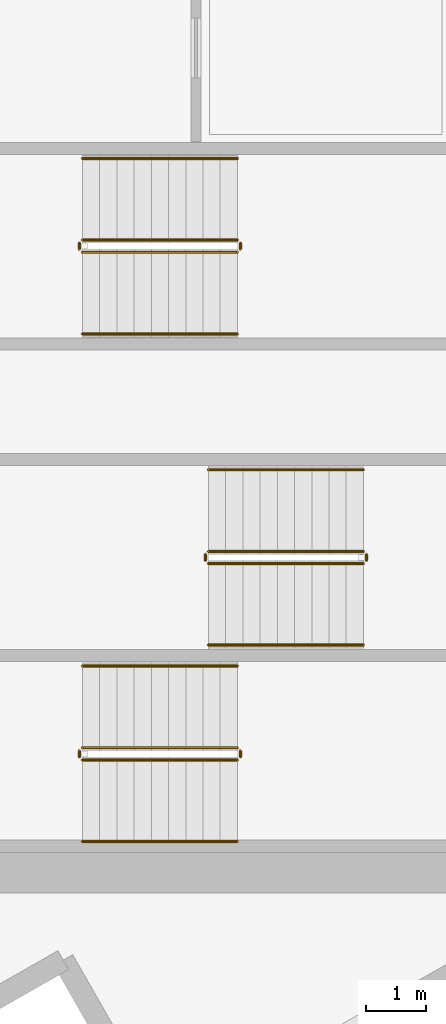
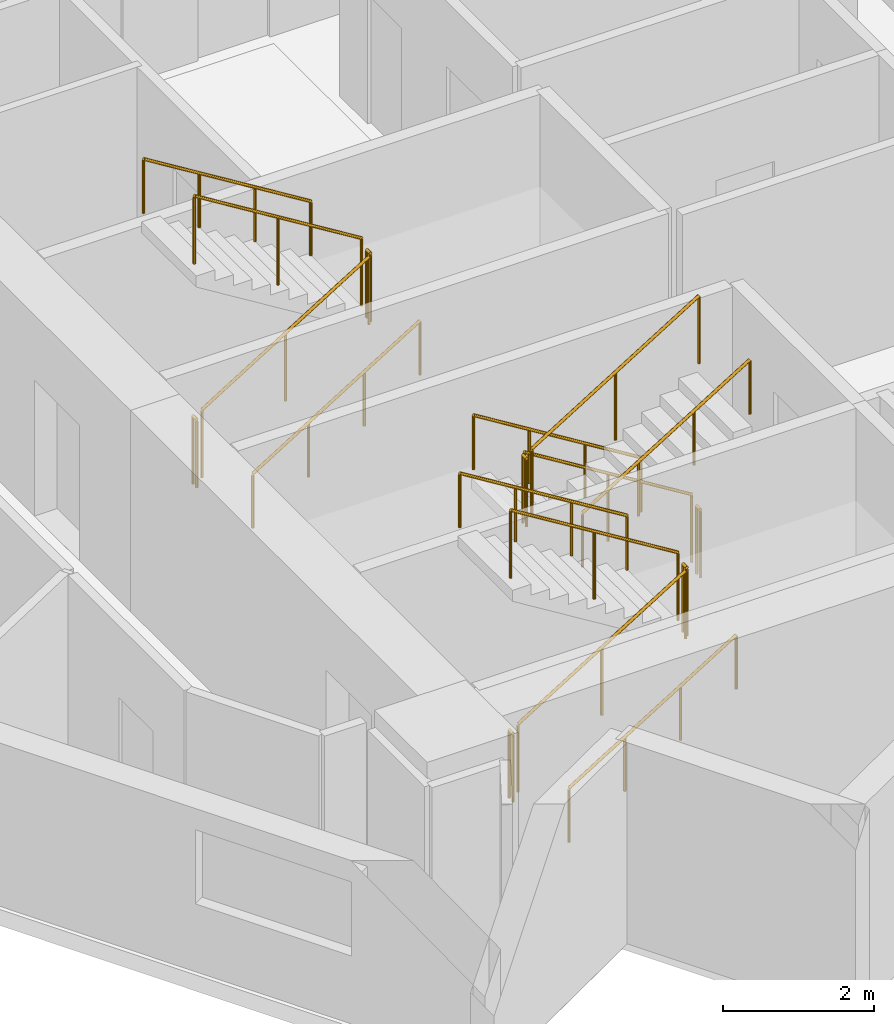
# One storey, part 12 of 13: 18 railings.
"""IFC4 building model written with IfcOpenShell, lengths in metres."""

from ifc_helpers import new_model, si_unit, direction, frame, origin, origin_2d, place, context, subcontext, project, spatial, circle, extrude, material, type_object, element, save


model = new_model("IFC4")

# Units and contexts
model_context = context("Model", 3, precision=1e-05, world=origin(), true_north=direction((0.0, 1.0)))
body_context = subcontext(model_context, "Body", "Model", "MODEL_VIEW")
ifc_project = project(units=[si_unit("LENGTHUNIT", "METRE"), si_unit("AREAUNIT", "SQUARE_METRE"), si_unit("VOLUMEUNIT", "CUBIC_METRE"), si_unit("PLANEANGLEUNIT", "RADIAN"), si_unit("MASSUNIT", "GRAM", prefix="KILO")], contexts=[model_context])

# Site, building, storey
site_placement = place(None, origin())
site = spatial("IfcSite", under=ifc_project, at=site_placement, CompositionType="ELEMENT")
building_placement = place(site_placement, origin())
building = spatial("IfcBuilding", under=site, at=building_placement, Name="Narakoshi Arena Tower", CompositionType="ELEMENT")
storey_placement = place(building_placement, frame((0.0, 0.0, 222.02001953125)))
storey = spatial("IfcBuildingStorey", under=building, at=storey_placement, Name="L60", CompositionType="ELEMENT", Elevation=222.02001953125)

# Railings
ifc_material_1 = material(Name="Clear low-iron laminated structural glass", Category="glass")
railing_type_1 = type_object("IfcRailingType", Name="RL-BAL-1100", PredefinedType="BALUSTRADE", material=ifc_material_1)
railing_1_placement = place(storey_placement, frame((74.39990234375, 36.949951171875, 0.176025390625)))
element("IfcRailing", 1, at=railing_1_placement, inside=storey, type_object=railing_type_1, Name="L60 ST1 stair guard 1", PredefinedType="BALUSTRADE", context=body_context, shape_type="SweptSolid", body=[
    extrude(circle(Radius=0.02392578125, at=origin_2d()), frame((0.0, 0.0, 1.09619140625), z_axis=(0.850856559306, 0.0, 0.525398054323), x_axis=(0.0, 1.0, 0.0)), (0.0, 0.0, 1.0), 3.014892578125),
    extrude(circle(Radius=0.02099609375, at=origin_2d()), origin(), (0.0, 0.0, 1.0), 1.072021484375),
    extrude(circle(Radius=0.02099609375, at=origin_2d()), frame((1.28271484375, 0.0, 0.7919921875)), (0.0, 0.0, 1.0), 1.072021484375),
    extrude(circle(Radius=0.02099609375, at=origin_2d()), frame((2.565185546875, 0.0, 1.583984375)), (0.0, 0.0, 1.0), 1.072021484375),
])
railing_2_placement = place(storey_placement, frame((77.014892578125, 37.0, 1.760009765625)))
element("IfcRailing", 2, at=railing_2_placement, inside=storey, type_object=railing_type_1, Name="L60 ST1 stair guard 2", PredefinedType="BALUSTRADE", context=body_context, shape_type="SweptSolid", body=[
    extrude(circle(Radius=0.02392578125, at=origin_2d()), frame((0.0, 0.0, 1.09619140625), z_axis=(0.0, 1.0, 0.0), x_axis=(-1.0, 0.0, 0.0)), (0.0, 0.0, 1.0), 0.10009765625),
    extrude(circle(Radius=0.02099609375, at=origin_2d()), origin(), (0.0, 0.0, 1.0), 1.072021484375),
    extrude(circle(Radius=0.02099609375, at=origin_2d()), frame((0.0, 0.10009765625, 0.0)), (0.0, 0.0, 1.0), 1.072021484375),
])
railing_3_placement = place(storey_placement, frame((76.965087890625, 37.14990234375, 1.93603515625)))
element("IfcRailing", 3, at=railing_3_placement, inside=storey, type_object=railing_type_1, Name="L60 ST1 stair guard 3", PredefinedType="BALUSTRADE", context=body_context, shape_type="SweptSolid", body=[
    extrude(circle(Radius=0.02392578125, at=origin_2d()), frame((0.0, 0.0, 1.09619140625), z_axis=(-0.850856559306, 0.0, 0.525398054323), x_axis=(0.0, -1.0, 0.0)), (0.0, 0.0, 1.0), 3.014892578125),
    extrude(circle(Radius=0.02099609375, at=origin_2d()), origin(), (0.0, 0.0, 1.0), 1.072021484375),
    extrude(circle(Radius=0.02099609375, at=origin_2d()), frame((-1.28271484375, 0.0, 0.7919921875)), (0.0, 0.0, 1.0), 1.072021484375),
    extrude(circle(Radius=0.02099609375, at=origin_2d()), frame((-2.565185546875, 0.0, 1.583984375)), (0.0, 0.0, 1.0), 1.072021484375),
])
railing_4_placement = place(storey_placement, frame((74.35009765625, 37.0, 0.0)))
element("IfcRailing", 4, at=railing_4_placement, inside=storey, type_object=railing_type_1, Name="L60 ST1 stair guard 4", PredefinedType="BALUSTRADE", context=body_context, shape_type="SweptSolid", body=[
    extrude(circle(Radius=0.02392578125, at=origin_2d()), frame((0.0, 0.0, 1.09619140625), z_axis=(0.0, 1.0, 0.0), x_axis=(-1.0, 0.0, 0.0)), (0.0, 0.0, 1.0), 0.10009765625),
    extrude(circle(Radius=0.02099609375, at=origin_2d()), origin(), (0.0, 0.0, 1.0), 1.072021484375),
    extrude(circle(Radius=0.02099609375, at=origin_2d()), frame((0.0, 0.10009765625, 0.0)), (0.0, 0.0, 1.0), 1.072021484375),
])
railing_5_placement = place(storey_placement, frame((79.050048828125, 40.39990234375, 0.176025390625)))
element("IfcRailing", 5, at=railing_5_placement, inside=storey, type_object=railing_type_1, Name="L60 ST2 stair guard 1", PredefinedType="BALUSTRADE", context=body_context, shape_type="SweptSolid", body=[
    extrude(circle(Radius=0.02392578125, at=origin_2d()), frame((0.0, 0.0, 1.09619140625), z_axis=(-0.850834203031, 0.0, 0.525434257497), x_axis=(0.0, -1.0, 0.0)), (0.0, 0.0, 1.0), 3.0146484375),
    extrude(circle(Radius=0.02099609375, at=origin_2d()), origin(), (0.0, 0.0, 1.0), 1.072021484375),
    extrude(circle(Radius=0.02099609375, at=origin_2d()), frame((-1.282470703125, 0.0, 0.7919921875)), (0.0, 0.0, 1.0), 1.072021484375),
    extrude(circle(Radius=0.02099609375, at=origin_2d()), frame((-2.56494140625, 0.0, 1.583984375)), (0.0, 0.0, 1.0), 1.072021484375),
])
railing_6_placement = place(storey_placement, frame((76.43505859375, 40.35009765625, 1.760009765625)))
element("IfcRailing", 6, at=railing_6_placement, inside=storey, type_object=railing_type_1, Name="L60 ST2 stair guard 2", PredefinedType="BALUSTRADE", context=body_context, shape_type="SweptSolid", body=[
    extrude(circle(Radius=0.02392578125, at=origin_2d()), frame((0.0, 0.0, 1.09619140625), z_axis=(0.0, -1.0, 0.0), x_axis=(1.0, 0.0, 0.0)), (0.0, 0.0, 1.0), 0.10009765625),
    extrude(circle(Radius=0.02099609375, at=origin_2d()), origin(), (0.0, 0.0, 1.0), 1.072021484375),
    extrude(circle(Radius=0.02099609375, at=origin_2d()), frame((0.0, -0.10009765625, 0.0)), (0.0, 0.0, 1.0), 1.072021484375),
])
railing_7_placement = place(storey_placement, frame((76.485107421875, 40.199951171875, 1.93603515625)))
element("IfcRailing", 7, at=railing_7_placement, inside=storey, type_object=railing_type_1, Name="L60 ST2 stair guard 3", PredefinedType="BALUSTRADE", context=body_context, shape_type="SweptSolid", body=[
    extrude(circle(Radius=0.02392578125, at=origin_2d()), frame((0.0, 0.0, 1.09619140625), z_axis=(0.850834203031, 0.0, 0.525434257497), x_axis=(0.0, 1.0, 0.0)), (0.0, 0.0, 1.0), 3.0146484375),
    extrude(circle(Radius=0.02099609375, at=origin_2d()), origin(), (0.0, 0.0, 1.0), 1.072021484375),
    extrude(circle(Radius=0.02099609375, at=origin_2d()), frame((1.282470703125, 0.0, 0.7919921875)), (0.0, 0.0, 1.0), 1.072021484375),
    extrude(circle(Radius=0.02099609375, at=origin_2d()), frame((2.56494140625, 0.0, 1.583984375)), (0.0, 0.0, 1.0), 1.072021484375),
])
railing_8_placement = place(storey_placement, frame((79.10009765625, 40.35009765625, 0.0)))
element("IfcRailing", 8, at=railing_8_placement, inside=storey, type_object=railing_type_1, Name="L60 ST2 stair guard 4", PredefinedType="BALUSTRADE", context=body_context, shape_type="SweptSolid", body=[
    extrude(circle(Radius=0.02392578125, at=origin_2d()), frame((0.0, 0.0, 1.09619140625), z_axis=(0.0, -1.0, 0.0), x_axis=(1.0, 0.0, 0.0)), (0.0, 0.0, 1.0), 0.10009765625),
    extrude(circle(Radius=0.02099609375, at=origin_2d()), origin(), (0.0, 0.0, 1.0), 1.072021484375),
    extrude(circle(Radius=0.02099609375, at=origin_2d()), frame((0.0, -0.10009765625, 0.0)), (0.0, 0.0, 1.0), 1.072021484375),
])
railing_9_placement = place(storey_placement, frame((74.39990234375, 45.35009765625, 0.176025390625)))
element("IfcRailing", 9, at=railing_9_placement, inside=storey, type_object=railing_type_1, Name="L60 ST3 stair guard 1", PredefinedType="BALUSTRADE", context=body_context, shape_type="SweptSolid", body=[
    extrude(circle(Radius=0.02392578125, at=origin_2d()), frame((0.0, 0.0, 1.09619140625), z_axis=(0.850856559306, 0.0, 0.525398054323), x_axis=(0.0, 1.0, 0.0)), (0.0, 0.0, 1.0), 3.014892578125),
    extrude(circle(Radius=0.02099609375, at=origin_2d()), origin(), (0.0, 0.0, 1.0), 1.072021484375),
    extrude(circle(Radius=0.02099609375, at=origin_2d()), frame((1.28271484375, 0.0, 0.7919921875)), (0.0, 0.0, 1.0), 1.072021484375),
    extrude(circle(Radius=0.02099609375, at=origin_2d()), frame((2.565185546875, 0.0, 1.583984375)), (0.0, 0.0, 1.0), 1.072021484375),
])
railing_10_placement = place(storey_placement, frame((77.014892578125, 45.39990234375, 1.760009765625)))
element("IfcRailing", 10, at=railing_10_placement, inside=storey, type_object=railing_type_1, Name="L60 ST3 stair guard 2", PredefinedType="BALUSTRADE", context=body_context, shape_type="SweptSolid", body=[
    extrude(circle(Radius=0.02392578125, at=origin_2d()), frame((0.0, 0.0, 1.09619140625), z_axis=(0.0, 1.0, 0.0), x_axis=(-1.0, 0.0, 0.0)), (0.0, 0.0, 1.0), 0.10009765625),
    extrude(circle(Radius=0.02099609375, at=origin_2d()), origin(), (0.0, 0.0, 1.0), 1.072021484375),
    extrude(circle(Radius=0.02099609375, at=origin_2d()), frame((0.0, 0.10009765625, 0.0)), (0.0, 0.0, 1.0), 1.072021484375),
])
railing_11_placement = place(storey_placement, frame((76.965087890625, 45.550048828125, 1.93603515625)))
element("IfcRailing", 11, at=railing_11_placement, inside=storey, type_object=railing_type_1, Name="L60 ST3 stair guard 3", PredefinedType="BALUSTRADE", context=body_context, shape_type="SweptSolid", body=[
    extrude(circle(Radius=0.02392578125, at=origin_2d()), frame((0.0, 0.0, 1.09619140625), z_axis=(-0.850856559306, 0.0, 0.525398054323), x_axis=(0.0, -1.0, 0.0)), (0.0, 0.0, 1.0), 3.014892578125),
    extrude(circle(Radius=0.02099609375, at=origin_2d()), origin(), (0.0, 0.0, 1.0), 1.072021484375),
    extrude(circle(Radius=0.02099609375, at=origin_2d()), frame((-1.28271484375, 0.0, 0.7919921875)), (0.0, 0.0, 1.0), 1.072021484375),
    extrude(circle(Radius=0.02099609375, at=origin_2d()), frame((-2.565185546875, 0.0, 1.583984375)), (0.0, 0.0, 1.0), 1.072021484375),
])
railing_12_placement = place(storey_placement, frame((74.35009765625, 45.39990234375, 0.0)))
element("IfcRailing", 12, at=railing_12_placement, inside=storey, type_object=railing_type_1, Name="L60 ST3 stair guard 4", PredefinedType="BALUSTRADE", context=body_context, shape_type="SweptSolid", body=[
    extrude(circle(Radius=0.02392578125, at=origin_2d()), frame((0.0, 0.0, 1.09619140625), z_axis=(0.0, 1.0, 0.0), x_axis=(-1.0, 0.0, 0.0)), (0.0, 0.0, 1.0), 0.10009765625),
    extrude(circle(Radius=0.02099609375, at=origin_2d()), origin(), (0.0, 0.0, 1.0), 1.072021484375),
    extrude(circle(Radius=0.02099609375, at=origin_2d()), frame((0.0, 0.10009765625, 0.0)), (0.0, 0.0, 1.0), 1.072021484375),
])
ifc_material_2 = material(Name="Brushed bronze stainless steel", Category="steel")
railing_type_2 = type_object("IfcRailingType", Name="RL-HND-900", PredefinedType="HANDRAIL", material=ifc_material_2)
railing_13_placement = place(storey_placement, frame((74.39990234375, 35.60009765625, 0.176025390625)))
element("IfcRailing", 13, at=railing_13_placement, inside=storey, type_object=railing_type_2, Name="L60 ST1 stair handrail 1", PredefinedType="HANDRAIL", context=body_context, shape_type="SweptSolid", body=[
    extrude(circle(Radius=0.02392578125, at=origin_2d()), frame((0.0, 0.0, 0.8759765625), z_axis=(0.850856559306, 0.0, 0.525398054323), x_axis=(0.0, 1.0, 0.0)), (0.0, 0.0, 1.0), 3.014892578125),
    extrude(circle(Radius=0.02099609375, at=origin_2d()), origin(), (0.0, 0.0, 1.0), 0.851806640625),
    extrude(circle(Radius=0.02099609375, at=origin_2d()), frame((0.85498046875, 0.0, 0.528076171875)), (0.0, 0.0, 1.0), 0.851806640625),
    extrude(circle(Radius=0.02099609375, at=origin_2d()), frame((1.710205078125, 0.0, 1.055908203125)), (0.0, 0.0, 1.0), 0.851806640625),
    extrude(circle(Radius=0.02099609375, at=origin_2d()), frame((2.565185546875, 0.0, 1.583984375)), (0.0, 0.0, 1.0), 0.851806640625),
])
railing_14_placement = place(storey_placement, frame((76.965087890625, 38.5, 1.93603515625)))
element("IfcRailing", 14, at=railing_14_placement, inside=storey, type_object=railing_type_2, Name="L60 ST1 stair handrail 2", PredefinedType="HANDRAIL", context=body_context, shape_type="SweptSolid", body=[
    extrude(circle(Radius=0.02392578125, at=origin_2d()), frame((0.0, 0.0, 0.8759765625), z_axis=(-0.850856559306, 0.0, 0.525398054323), x_axis=(0.0, -1.0, 0.0)), (0.0, 0.0, 1.0), 3.014892578125),
    extrude(circle(Radius=0.02099609375, at=origin_2d()), origin(), (0.0, 0.0, 1.0), 0.851806640625),
    extrude(circle(Radius=0.02099609375, at=origin_2d()), frame((-0.85498046875, 0.0, 0.528076171875)), (0.0, 0.0, 1.0), 0.851806640625),
    extrude(circle(Radius=0.02099609375, at=origin_2d()), frame((-1.710205078125, 0.0, 1.055908203125)), (0.0, 0.0, 1.0), 0.851806640625),
    extrude(circle(Radius=0.02099609375, at=origin_2d()), frame((-2.565185546875, 0.0, 1.583984375)), (0.0, 0.0, 1.0), 0.851806640625),
])
railing_15_placement = place(storey_placement, frame((79.050048828125, 41.75, 0.176025390625)))
element("IfcRailing", 15, at=railing_15_placement, inside=storey, type_object=railing_type_2, Name="L60 ST2 stair handrail 1", PredefinedType="HANDRAIL", context=body_context, shape_type="SweptSolid", body=[
    extrude(circle(Radius=0.02392578125, at=origin_2d()), frame((0.0, 0.0, 0.8759765625), z_axis=(-0.850834203031, 0.0, 0.525434257497), x_axis=(0.0, -1.0, 0.0)), (0.0, 0.0, 1.0), 3.0146484375),
    extrude(circle(Radius=0.02099609375, at=origin_2d()), origin(), (0.0, 0.0, 1.0), 0.851806640625),
    extrude(circle(Radius=0.02099609375, at=origin_2d()), frame((-0.85498046875, 0.0, 0.528076171875)), (0.0, 0.0, 1.0), 0.851806640625),
    extrude(circle(Radius=0.02099609375, at=origin_2d()), frame((-1.7099609375, 0.0, 1.055908203125)), (0.0, 0.0, 1.0), 0.851806640625),
    extrude(circle(Radius=0.02099609375, at=origin_2d()), frame((-2.56494140625, 0.0, 1.583984375)), (0.0, 0.0, 1.0), 0.851806640625),
])
railing_16_placement = place(storey_placement, frame((76.485107421875, 38.85009765625, 1.93603515625)))
element("IfcRailing", 16, at=railing_16_placement, inside=storey, type_object=railing_type_2, Name="L60 ST2 stair handrail 2", PredefinedType="HANDRAIL", context=body_context, shape_type="SweptSolid", body=[
    extrude(circle(Radius=0.02392578125, at=origin_2d()), frame((0.0, 0.0, 0.8759765625), z_axis=(0.850834203031, 0.0, 0.525434257497), x_axis=(0.0, 1.0, 0.0)), (0.0, 0.0, 1.0), 3.0146484375),
    extrude(circle(Radius=0.02099609375, at=origin_2d()), origin(), (0.0, 0.0, 1.0), 0.851806640625),
    extrude(circle(Radius=0.02099609375, at=origin_2d()), frame((0.85498046875, 0.0, 0.528076171875)), (0.0, 0.0, 1.0), 0.851806640625),
    extrude(circle(Radius=0.02099609375, at=origin_2d()), frame((1.7099609375, 0.0, 1.055908203125)), (0.0, 0.0, 1.0), 0.851806640625),
    extrude(circle(Radius=0.02099609375, at=origin_2d()), frame((2.56494140625, 0.0, 1.583984375)), (0.0, 0.0, 1.0), 0.851806640625),
])
railing_17_placement = place(storey_placement, frame((74.39990234375, 44.0, 0.176025390625)))
element("IfcRailing", 17, at=railing_17_placement, inside=storey, type_object=railing_type_2, Name="L60 ST3 stair handrail 1", PredefinedType="HANDRAIL", context=body_context, shape_type="SweptSolid", body=[
    extrude(circle(Radius=0.02392578125, at=origin_2d()), frame((0.0, 0.0, 0.8759765625), z_axis=(0.850856559306, 0.0, 0.525398054323), x_axis=(0.0, 1.0, 0.0)), (0.0, 0.0, 1.0), 3.014892578125),
    extrude(circle(Radius=0.02099609375, at=origin_2d()), origin(), (0.0, 0.0, 1.0), 0.851806640625),
    extrude(circle(Radius=0.02099609375, at=origin_2d()), frame((0.85498046875, 0.0, 0.528076171875)), (0.0, 0.0, 1.0), 0.851806640625),
    extrude(circle(Radius=0.02099609375, at=origin_2d()), frame((1.710205078125, 0.0, 1.055908203125)), (0.0, 0.0, 1.0), 0.851806640625),
    extrude(circle(Radius=0.02099609375, at=origin_2d()), frame((2.565185546875, 0.0, 1.583984375)), (0.0, 0.0, 1.0), 0.851806640625),
])
railing_18_placement = place(storey_placement, frame((76.965087890625, 46.89990234375, 1.93603515625)))
element("IfcRailing", 18, at=railing_18_placement, inside=storey, type_object=railing_type_2, Name="L60 ST3 stair handrail 2", PredefinedType="HANDRAIL", context=body_context, shape_type="SweptSolid", body=[
    extrude(circle(Radius=0.02392578125, at=origin_2d()), frame((0.0, 0.0, 0.8759765625), z_axis=(-0.850856559306, 0.0, 0.525398054323), x_axis=(0.0, -1.0, 0.0)), (0.0, 0.0, 1.0), 3.014892578125),
    extrude(circle(Radius=0.02099609375, at=origin_2d()), origin(), (0.0, 0.0, 1.0), 0.851806640625),
    extrude(circle(Radius=0.02099609375, at=origin_2d()), frame((-0.85498046875, 0.0, 0.528076171875)), (0.0, 0.0, 1.0), 0.851806640625),
    extrude(circle(Radius=0.02099609375, at=origin_2d()), frame((-1.710205078125, 0.0, 1.055908203125)), (0.0, 0.0, 1.0), 0.851806640625),
    extrude(circle(Radius=0.02099609375, at=origin_2d()), frame((-2.565185546875, 0.0, 1.583984375)), (0.0, 0.0, 1.0), 0.851806640625),
])

save(model, "model.ifc")
